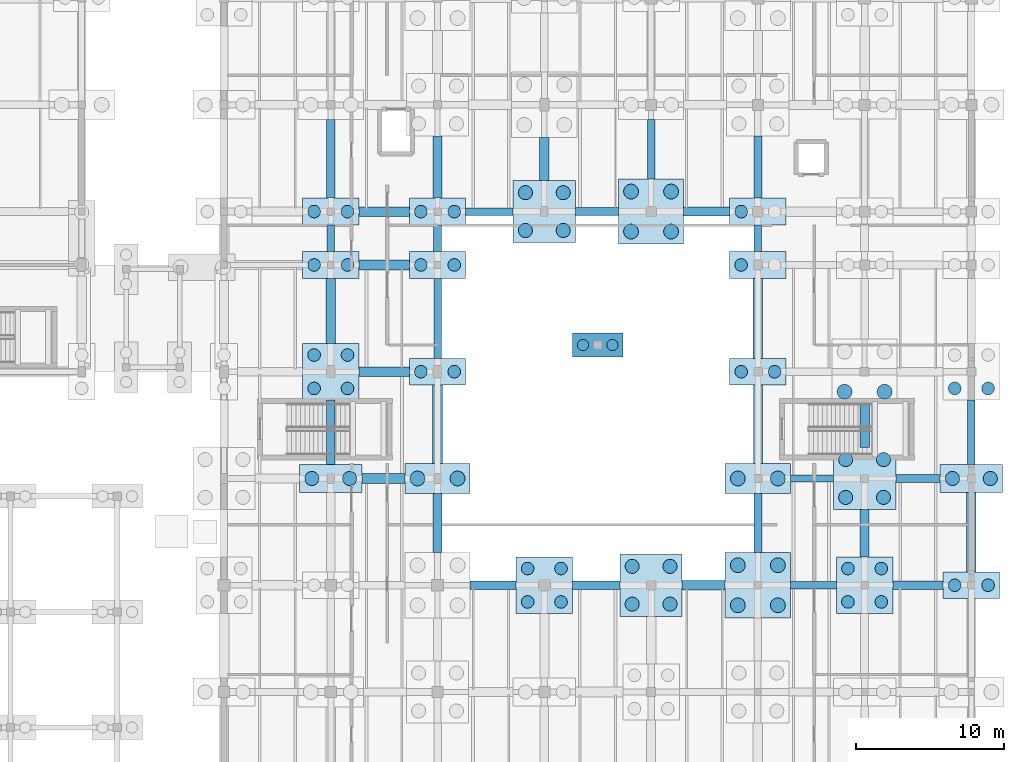
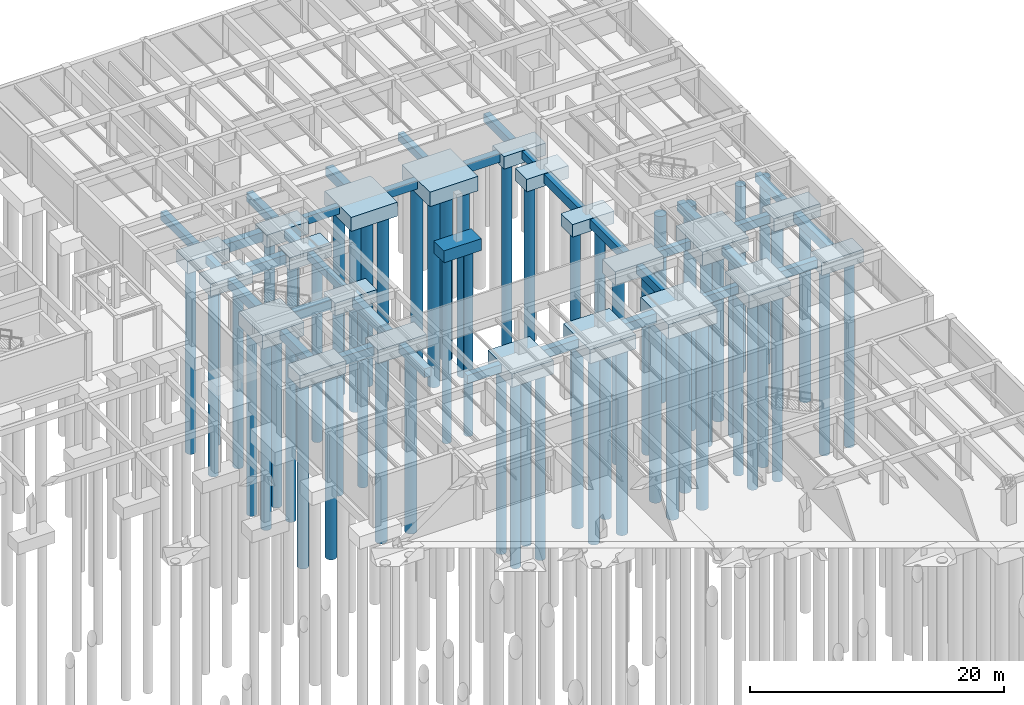
# One storey, part 15 of 63: 62 piles, 56 footings.
"""IFC4 building model written with IfcOpenShell, lengths in metres."""

from ifc_helpers import new_model, si_unit, direction, frame, origin, origin_2d, place, context, subcontext, project, spatial, rectangle, circle, extrude, material, material_profile, profile_set, type_object, element, save


model = new_model("IFC4")

# Units and contexts
model_context = context("Model", 3, precision=1e-05, world=origin(), true_north=direction((0.0, 1.0)))
body_context = subcontext(model_context, "Body", "Model", "MODEL_VIEW")
ifc_project = project(units=[si_unit("LENGTHUNIT", "METRE"), si_unit("AREAUNIT", "SQUARE_METRE"), si_unit("VOLUMEUNIT", "CUBIC_METRE"), si_unit("PLANEANGLEUNIT", "RADIAN"), si_unit("MASSUNIT", "GRAM", prefix="KILO")], contexts=[model_context])

# Site, building, storey
site_placement = place(None, origin())
site = spatial("IfcSite", under=ifc_project, at=site_placement, CompositionType="ELEMENT")
building_placement = place(site_placement, origin())
building = spatial("IfcBuilding", under=site, at=building_placement, Name="Mazaris Harbour Polytechnic", CompositionType="ELEMENT")
storey_placement = place(building_placement, frame((0.0, 0.0, -4.5)))
storey = spatial("IfcBuildingStorey", under=building, at=storey_placement, Name="B1", CompositionType="ELEMENT", Elevation=-4.5)

# Piles
ifc_material_1 = material(Name="Concrete C35/45", Category="concrete")
ifc_material_profile_1 = material_profile(ifc_material_1, circle(Radius=0.5, at=origin_2d()), Name="DIA1000")
ifc_profile_set_1 = profile_set([ifc_material_profile_1], Name="Concrete C35/45")
pile_type_1 = type_object("IfcPileType", Name="Bored Pile 1000", PredefinedType="BORED", material=ifc_profile_set_1)
for number, where, z_axis, x_axis, name in (
    (1, (135.449951171875, 68.39990234375, -1.6201171875), (0.0, 0.0, -1.0), (1.0, 0.0, 0.0), "Bored Pile BP-263-1"),
    (2, (138.14990234375, 68.39990234375, -1.6201171875), (0.0, 0.0, -1.0), (1.0, 0.0, 0.0), "Bored Pile BP-263-2"),
    (3, (149.85009765625, 85.050048828125, -1.719970703125), (0.0, 0.0, -1.0), (1.0, 0.0, 0.0), "Bored Pile BP-280-1"),
    (4, (152.550048828125, 85.050048828125, -1.719970703125), (0.0, 0.0, -1.0), (1.0, 0.0, 0.0), "Bored Pile BP-280-2"),
    (5, (149.85009765625, 87.75, -1.719970703125), (0.0, 0.0, -1.0), (1.0, 0.0, 0.0), "Bored Pile BP-280-3"),
    (6, (152.550048828125, 87.75, -1.719970703125), (0.0, 0.0, -1.0), (1.0, 0.0, 0.0), "Bored Pile BP-280-4"),
    (7, (157.050048828125, 59.85009765625, -1.719970703125), (0.0, 0.0, -1.0), (1.0, 0.0, 0.0), "Bored Pile BP-286-1"),
    (8, (159.75, 59.85009765625, -1.719970703125), (0.0, 0.0, -1.0), (1.0, 0.0, 0.0), "Bored Pile BP-286-2"),
    (9, (157.050048828125, 62.550048828125, -1.719970703125), (0.0, 0.0, -1.0), (1.0, 0.0, 0.0), "Bored Pile BP-286-3"),
    (10, (159.75, 62.550048828125, -1.719970703125), (0.0, 0.0, -1.0), (1.0, 0.0, 0.0), "Bored Pile BP-286-4"),
    (11, (157.050048828125, 68.39990234375, -1.6201171875), (0.0, 0.0, -1.0), (1.0, 0.0, 0.0), "Bored Pile BP-287-1"),
    (12, (159.75, 68.39990234375, -1.6201171875), (0.0, 0.0, -1.0), (1.0, 0.0, 0.0), "Bored Pile BP-287-2"),
    (13, (164.25, 74.25, -1.719970703125), (0.0, 0.0, -1.0), (1.0, 0.0, 0.0), "Bored Pile BP-298-1"),
    (14, (166.949951171875, 74.25, -1.719970703125), (0.0, 0.0, -1.0), (1.0, 0.0, 0.0), "Bored Pile BP-298-2"),
):
    element("IfcPile", number, at=place(storey_placement, frame(where, z_axis=z_axis, x_axis=x_axis)), inside=storey, type_object=pile_type_1, Name=name, PredefinedType="BORED", context=body_context, shape_type="SweptSolid", body=[
        extrude(circle(Radius=0.5, at=origin_2d()), origin(), (0.0, 0.0, 1.0), 18.0),
    ])
ifc_material_2 = material(Name="Concrete C35/45", Category="concrete")
ifc_material_profile_2 = material_profile(ifc_material_2, circle(Radius=0.375, at=origin_2d()), Name="DIA750")
ifc_profile_set_2 = profile_set([ifc_material_profile_2], Name="Concrete C35/45")
pile_type_2 = type_object("IfcPileType", Name="Bored Pile 750", PredefinedType="BORED", material=ifc_profile_set_2)
for number, where, z_axis, x_axis, name in (
    (15, (146.606201171875, 77.39990234375, -1.429931640625), (0.0, 0.0, -1.0), (1.0, 0.0, 0.0), "Bored Pile BP-373-1"),
    (16, (148.59375, 77.39990234375, -1.429931640625), (0.0, 0.0, -1.0), (1.0, 0.0, 0.0), "Bored Pile BP-373-2"),
):
    element("IfcPile", number, at=place(storey_placement, frame(where, z_axis=z_axis, x_axis=x_axis)), inside=storey, type_object=pile_type_2, Name=name, PredefinedType="BORED", context=body_context, shape_type="SweptSolid", body=[
        extrude(circle(Radius=0.375, at=origin_2d()), origin(), (0.0, 0.0, 1.0), 18.0),
    ])
ifc_material_3 = material(Name="Concrete C35/45", Category="concrete")
ifc_material_profile_3 = material_profile(ifc_material_3, circle(Radius=0.425048828125, at=origin_2d()), Name="DIA850")
ifc_profile_set_3 = profile_set([ifc_material_profile_3], Name="Concrete C35/45")
pile_type_3 = type_object("IfcPileType", Name="Bored Pile 850", PredefinedType="BORED", material=ifc_profile_set_3)
for number, where, z_axis, x_axis, name in (
    (17, (128.473876953125, 74.473876953125, -1.6201171875), (0.0, 0.0, -1.0), (1.0, 0.0, 0.0), "Bored Pile BP-254-1"),
    (18, (130.726318359375, 74.473876953125, -1.6201171875), (0.0, 0.0, -1.0), (1.0, 0.0, 0.0), "Bored Pile BP-254-2"),
    (19, (128.473876953125, 76.726318359375, -1.6201171875), (0.0, 0.0, -1.0), (1.0, 0.0, 0.0), "Bored Pile BP-254-3"),
    (20, (130.726318359375, 76.726318359375, -1.6201171875), (0.0, 0.0, -1.0), (1.0, 0.0, 0.0), "Bored Pile BP-254-4"),
    (21, (128.473876953125, 82.800048828125, -1.52001953125), (0.0, 0.0, -1.0), (1.0, 0.0, 0.0), "Bored Pile BP-255-1"),
    (22, (130.726318359375, 82.800048828125, -1.52001953125), (0.0, 0.0, -1.0), (1.0, 0.0, 0.0), "Bored Pile BP-255-2"),
    (23, (128.473876953125, 86.39990234375, -1.52001953125), (0.0, 0.0, -1.0), (1.0, 0.0, 0.0), "Bored Pile BP-256-1"),
    (24, (130.726318359375, 86.39990234375, -1.52001953125), (0.0, 0.0, -1.0), (1.0, 0.0, 0.0), "Bored Pile BP-256-2"),
    (25, (135.673828125, 75.60009765625, -1.52001953125), (0.0, 0.0, -1.0), (1.0, 0.0, 0.0), "Bored Pile BP-264-1"),
    (26, (137.92626953125, 75.60009765625, -1.52001953125), (0.0, 0.0, -1.0), (1.0, 0.0, 0.0), "Bored Pile BP-264-2"),
    (27, (135.673828125, 82.800048828125, -1.52001953125), (0.0, 0.0, -1.0), (1.0, 0.0, 0.0), "Bored Pile BP-265-1"),
    (28, (137.92626953125, 82.800048828125, -1.52001953125), (0.0, 0.0, -1.0), (1.0, 0.0, 0.0), "Bored Pile BP-265-2"),
    (29, (135.673828125, 86.39990234375, -1.52001953125), (0.0, 0.0, -1.0), (1.0, 0.0, 0.0), "Bored Pile BP-266-1"),
    (30, (137.92626953125, 86.39990234375, -1.52001953125), (0.0, 0.0, -1.0), (1.0, 0.0, 0.0), "Bored Pile BP-266-2"),
    (31, (142.873779296875, 60.07373046875, -1.6201171875), (0.0, 0.0, -1.0), (1.0, 0.0, 0.0), "Bored Pile BP-272-1"),
    (32, (145.126220703125, 60.07373046875, -1.6201171875), (0.0, 0.0, -1.0), (1.0, 0.0, 0.0), "Bored Pile BP-272-2"),
    (33, (142.873779296875, 62.326171875, -1.6201171875), (0.0, 0.0, -1.0), (1.0, 0.0, 0.0), "Bored Pile BP-272-3"),
    (34, (145.126220703125, 62.326171875, -1.6201171875), (0.0, 0.0, -1.0), (1.0, 0.0, 0.0), "Bored Pile BP-272-4"),
    (35, (157.273681640625, 75.60009765625, -1.52001953125), (0.0, 0.0, -1.0), (1.0, 0.0, 0.0), "Bored Pile BP-288-1"),
    (36, (159.526123046875, 75.60009765625, -1.52001953125), (0.0, 0.0, -1.0), (1.0, 0.0, 0.0), "Bored Pile BP-288-2"),
    (37, (157.273681640625, 82.800048828125, -1.52001953125), (0.0, 0.0, -1.0), (1.0, 0.0, 0.0), "Bored Pile BP-289-1"),
    (38, (157.273681640625, 86.39990234375, -1.52001953125), (0.0, 0.0, -1.0), (1.0, 0.0, 0.0), "Bored Pile BP-290-1"),
    (39, (164.473876953125, 60.07373046875, -1.6201171875), (0.0, 0.0, -1.0), (1.0, 0.0, 0.0), "Bored Pile BP-296-1"),
    (40, (166.726318359375, 60.07373046875, -1.6201171875), (0.0, 0.0, -1.0), (1.0, 0.0, 0.0), "Bored Pile BP-296-2"),
    (41, (164.473876953125, 62.326171875, -1.6201171875), (0.0, 0.0, -1.0), (1.0, 0.0, 0.0), "Bored Pile BP-296-3"),
    (42, (166.726318359375, 62.326171875, -1.6201171875), (0.0, 0.0, -1.0), (1.0, 0.0, 0.0), "Bored Pile BP-296-4"),
    (43, (171.673828125, 61.199951171875, -1.52001953125), (0.0, 0.0, -1.0), (1.0, 0.0, 0.0), "Bored Pile BP-306-1"),
    (44, (173.92626953125, 61.199951171875, -1.52001953125), (0.0, 0.0, -1.0), (1.0, 0.0, 0.0), "Bored Pile BP-306-2"),
    (45, (171.673828125, 74.473876953125, -1.6201171875), (0.0, 0.0, -1.0), (1.0, 0.0, 0.0), "Bored Pile BP-308-1"),
    (46, (173.92626953125, 74.473876953125, -1.6201171875), (0.0, 0.0, -1.0), (1.0, 0.0, 0.0), "Bored Pile BP-308-2"),
):
    element("IfcPile", number, at=place(storey_placement, frame(where, z_axis=z_axis, x_axis=x_axis)), inside=storey, type_object=pile_type_3, Name=name, PredefinedType="BORED", context=body_context, shape_type="SweptSolid", body=[
        extrude(circle(Radius=0.425048828125, at=origin_2d()), origin(), (0.0, 0.0, 1.0), 18.0),
    ])
ifc_material_4 = material(Name="Concrete C35/45", Category="concrete")
ifc_material_profile_4 = material_profile(ifc_material_4, circle(Radius=0.47509765625, at=origin_2d()), Name="DIA950")
ifc_profile_set_4 = profile_set([ifc_material_profile_4], Name="Concrete C35/45")
pile_type_4 = type_object("IfcPileType", Name="Bored Pile 950", PredefinedType="BORED", material=ifc_profile_set_4)
for number, where, z_axis, x_axis, name in (
    (47, (128.324951171875, 68.39990234375, -1.570068359375), (0.0, 0.0, -1.0), (1.0, 0.0, 0.0), "Bored Pile BP-253-1"),
    (48, (130.875, 68.39990234375, -1.570068359375), (0.0, 0.0, -1.0), (1.0, 0.0, 0.0), "Bored Pile BP-253-2"),
    (49, (142.72509765625, 85.125, -1.669921875), (0.0, 0.0, -1.0), (1.0, 0.0, 0.0), "Bored Pile BP-273-1"),
    (50, (145.27490234375, 85.125, -1.669921875), (0.0, 0.0, -1.0), (1.0, 0.0, 0.0), "Bored Pile BP-273-2"),
    (51, (142.72509765625, 87.675048828125, -1.669921875), (0.0, 0.0, -1.0), (1.0, 0.0, 0.0), "Bored Pile BP-273-3"),
    (52, (145.27490234375, 87.675048828125, -1.669921875), (0.0, 0.0, -1.0), (1.0, 0.0, 0.0), "Bored Pile BP-273-4"),
    (53, (149.925048828125, 59.925048828125, -1.669921875), (0.0, 0.0, -1.0), (1.0, 0.0, 0.0), "Bored Pile BP-279-1"),
    (54, (152.47509765625, 59.925048828125, -1.669921875), (0.0, 0.0, -1.0), (1.0, 0.0, 0.0), "Bored Pile BP-279-2"),
    (55, (149.925048828125, 62.47509765625, -1.669921875), (0.0, 0.0, -1.0), (1.0, 0.0, 0.0), "Bored Pile BP-279-3"),
    (56, (152.47509765625, 62.47509765625, -1.669921875), (0.0, 0.0, -1.0), (1.0, 0.0, 0.0), "Bored Pile BP-279-4"),
    (57, (164.324951171875, 67.125, -1.669921875), (0.0, 0.0, -1.0), (1.0, 0.0, 0.0), "Bored Pile BP-297-1"),
    (58, (166.875, 67.125, -1.669921875), (0.0, 0.0, -1.0), (1.0, 0.0, 0.0), "Bored Pile BP-297-2"),
    (59, (164.324951171875, 69.675048828125, -1.669921875), (0.0, 0.0, -1.0), (1.0, 0.0, 0.0), "Bored Pile BP-297-3"),
    (60, (166.875, 69.675048828125, -1.669921875), (0.0, 0.0, -1.0), (1.0, 0.0, 0.0), "Bored Pile BP-297-4"),
    (61, (171.52490234375, 68.39990234375, -1.570068359375), (0.0, 0.0, -1.0), (1.0, 0.0, 0.0), "Bored Pile BP-307-1"),
    (62, (174.074951171875, 68.39990234375, -1.570068359375), (0.0, 0.0, -1.0), (1.0, 0.0, 0.0), "Bored Pile BP-307-2"),
):
    element("IfcPile", number, at=place(storey_placement, frame(where, z_axis=z_axis, x_axis=x_axis)), inside=storey, type_object=pile_type_4, Name=name, PredefinedType="BORED", context=body_context, shape_type="SweptSolid", body=[
        extrude(circle(Radius=0.47509765625, at=origin_2d()), origin(), (0.0, 0.0, 1.0), 18.0),
    ])

# Footings
ifc_material_5 = material(Name="Concrete C35/45", Category="concrete")
footing_type_1 = type_object("IfcFootingType", Name="Pile Cap 3400x1600x1150", PredefinedType="PILE_CAP", material=ifc_material_5)
footing_1_placement = place(storey_placement, frame((147.60009765625, 77.39990234375, -1.530029296875), z_axis=(0.0, 0.0, 1.0), x_axis=(1.0, 0.0, 0.0)))
element("IfcFooting", 63, at=footing_1_placement, inside=storey, type_object=footing_type_1, Name="Pile Cap CAP-373", PredefinedType="PILE_CAP", context=body_context, shape_type="SweptSolid", body=[
    extrude(rectangle(XDim=3.39990234375, YDim=1.60009765625, at=origin_2d()), origin(), (0.0, 0.0, 1.0), 1.14990234375),
])
ifc_material_6 = material(Name="Concrete C35/45", Category="concrete")
footing_type_2 = type_object("IfcFootingType", Name="Pile Cap 3800x1800x1200", PredefinedType="PILE_CAP", material=ifc_material_6)
for number, where, z_axis, x_axis, name in (
    (64, (129.60009765625, 82.800048828125, -1.6201171875), (0.0, 0.0, 1.0), (1.0, 0.0, 0.0), "Pile Cap CAP-255"),
    (65, (129.60009765625, 86.39990234375, -1.6201171875), (0.0, 0.0, 1.0), (1.0, 0.0, 0.0), "Pile Cap CAP-256"),
    (66, (136.800048828125, 75.60009765625, -1.6201171875), (0.0, 0.0, 1.0), (1.0, 0.0, 0.0), "Pile Cap CAP-264"),
    (67, (136.800048828125, 82.800048828125, -1.6201171875), (0.0, 0.0, 1.0), (1.0, 0.0, 0.0), "Pile Cap CAP-265"),
    (68, (136.800048828125, 86.39990234375, -1.6201171875), (0.0, 0.0, 1.0), (1.0, 0.0, 0.0), "Pile Cap CAP-266"),
    (69, (158.39990234375, 75.60009765625, -1.6201171875), (0.0, 0.0, 1.0), (1.0, 0.0, 0.0), "Pile Cap CAP-288"),
    (70, (158.39990234375, 82.800048828125, -1.6201171875), (0.0, 0.0, 1.0), (1.0, 0.0, 0.0), "Pile Cap CAP-289"),
    (71, (158.39990234375, 86.39990234375, -1.6201171875), (0.0, 0.0, 1.0), (1.0, 0.0, 0.0), "Pile Cap CAP-290"),
    (72, (172.800048828125, 61.199951171875, -1.6201171875), (0.0, 0.0, 1.0), (1.0, 0.0, 0.0), "Pile Cap CAP-306"),
):
    element("IfcFooting", number, at=place(storey_placement, frame(where, z_axis=z_axis, x_axis=x_axis)), inside=storey, type_object=footing_type_2, Name=name, PredefinedType="PILE_CAP", context=body_context, shape_type="SweptSolid", body=[
        extrude(rectangle(XDim=3.800048828125, YDim=1.800048828125, at=origin_2d()), origin(), (0.0, 0.0, 1.0), 1.199951171875),
    ])
ifc_material_7 = material(Name="Concrete C35/45", Category="concrete")
footing_type_3 = type_object("IfcFootingType", Name="Pile Cap 3800x3800x1300", PredefinedType="PILE_CAP", material=ifc_material_7)
for number, where, z_axis, x_axis, name in (
    (73, (129.60009765625, 75.60009765625, -1.72021484375), (0.0, 0.0, 1.0), (1.0, 0.0, 0.0), "Pile Cap CAP-254"),
    (74, (144.0, 61.199951171875, -1.72021484375), (0.0, 0.0, 1.0), (1.0, 0.0, 0.0), "Pile Cap CAP-272"),
    (75, (165.60009765625, 61.199951171875, -1.72021484375), (0.0, 0.0, 1.0), (1.0, 0.0, 0.0), "Pile Cap CAP-296"),
):
    element("IfcFooting", number, at=place(storey_placement, frame(where, z_axis=z_axis, x_axis=x_axis)), inside=storey, type_object=footing_type_3, Name=name, PredefinedType="PILE_CAP", context=body_context, shape_type="SweptSolid", body=[
        extrude(rectangle(XDim=3.800048828125, YDim=3.800048828125, at=origin_2d()), origin(), (0.0, 0.0, 1.0), 1.300048828125),
    ])
ifc_material_8 = material(Name="Concrete C35/45", Category="concrete")
footing_type_4 = type_object("IfcFootingType", Name="Pile Cap 4200x1900x1250", PredefinedType="PILE_CAP", material=ifc_material_8)
for number, where, z_axis, x_axis, name in (
    (76, (129.60009765625, 68.39990234375, -1.669921875), (0.0, 0.0, 1.0), (1.0, 0.0, 0.0), "Pile Cap CAP-253"),
    (77, (172.800048828125, 68.39990234375, -1.669921875), (0.0, 0.0, 1.0), (1.0, 0.0, 0.0), "Pile Cap CAP-307"),
):
    element("IfcFooting", number, at=place(storey_placement, frame(where, z_axis=z_axis, x_axis=x_axis)), inside=storey, type_object=footing_type_4, Name=name, PredefinedType="PILE_CAP", context=body_context, shape_type="SweptSolid", body=[
        extrude(rectangle(XDim=4.199951171875, YDim=1.89990234375, at=origin_2d()), origin(), (0.0, 0.0, 1.0), 1.25),
    ])
ifc_material_9 = material(Name="Concrete C35/45", Category="concrete")
footing_type_5 = type_object("IfcFootingType", Name="Pile Cap 4200x4200x1350", PredefinedType="PILE_CAP", material=ifc_material_9)
for number, where, z_axis, x_axis, name in (
    (78, (144.0, 86.39990234375, -1.77001953125), (0.0, 0.0, 1.0), (1.0, 0.0, 0.0), "Pile Cap CAP-273"),
    (79, (151.199951171875, 61.199951171875, -1.77001953125), (0.0, 0.0, 1.0), (1.0, 0.0, 0.0), "Pile Cap CAP-279"),
    (80, (165.60009765625, 68.39990234375, -1.77001953125), (0.0, 0.0, 1.0), (1.0, 0.0, 0.0), "Pile Cap CAP-297"),
):
    element("IfcFooting", number, at=place(storey_placement, frame(where, z_axis=z_axis, x_axis=x_axis)), inside=storey, type_object=footing_type_5, Name=name, PredefinedType="PILE_CAP", context=body_context, shape_type="SweptSolid", body=[
        extrude(rectangle(XDim=4.199951171875, YDim=4.199951171875, at=origin_2d()), origin(), (0.0, 0.0, 1.0), 1.35009765625),
    ])
ifc_material_10 = material(Name="Concrete C35/45", Category="concrete")
footing_type_6 = type_object("IfcFootingType", Name="Pile Cap 4400x2000x1300", PredefinedType="PILE_CAP", material=ifc_material_10)
for number, where, z_axis, x_axis, name in (
    (81, (136.800048828125, 68.39990234375, -1.72021484375), (0.0, 0.0, 1.0), (1.0, 0.0, 0.0), "Pile Cap CAP-263"),
    (82, (158.39990234375, 68.39990234375, -1.72021484375), (0.0, 0.0, 1.0), (1.0, 0.0, 0.0), "Pile Cap CAP-287"),
):
    element("IfcFooting", number, at=place(storey_placement, frame(where, z_axis=z_axis, x_axis=x_axis)), inside=storey, type_object=footing_type_6, Name=name, PredefinedType="PILE_CAP", context=body_context, shape_type="SweptSolid", body=[
        extrude(rectangle(XDim=4.39990234375, YDim=2.0, at=origin_2d()), origin(), (0.0, 0.0, 1.0), 1.300048828125),
    ])
ifc_material_11 = material(Name="Concrete C35/45", Category="concrete")
footing_type_7 = type_object("IfcFootingType", Name="Pile Cap 4400x4400x1400", PredefinedType="PILE_CAP", material=ifc_material_11)
for number, where, z_axis, x_axis, name in (
    (83, (151.199951171875, 86.39990234375, -1.820068359375), (0.0, 0.0, 1.0), (1.0, 0.0, 0.0), "Pile Cap CAP-280"),
    (84, (158.39990234375, 61.199951171875, -1.820068359375), (0.0, 0.0, 1.0), (1.0, 0.0, 0.0), "Pile Cap CAP-286"),
):
    element("IfcFooting", number, at=place(storey_placement, frame(where, z_axis=z_axis, x_axis=x_axis)), inside=storey, type_object=footing_type_7, Name=name, PredefinedType="PILE_CAP", context=body_context, shape_type="SweptSolid", body=[
        extrude(rectangle(XDim=4.39990234375, YDim=4.39990234375, at=origin_2d()), origin(), (0.0, 0.0, 1.0), 1.39990234375),
    ])
ifc_material_12 = material(Name="Concrete C35/45", Category="concrete")
ifc_material_profile_5 = material_profile(ifc_material_12, rectangle(XDim=0.5, YDim=0.75, at=origin_2d()), Name="RECT500x750")
ifc_profile_set_5 = profile_set([ifc_material_profile_5], Name="Concrete C35/45")
footing_type_8 = type_object("IfcFootingType", Name="Seismic Tie Beam 500x750", PredefinedType="FOOTING_BEAM", material=ifc_profile_set_5)
footing_2_placement = place(storey_placement, frame((160.60009765625, 61.199951171875, -0.8349609375), z_axis=(1.0, 0.0, 0.0), x_axis=(0.0, 1.0, 0.0)))
element("IfcFooting", 85, at=footing_2_placement, inside=storey, type_object=footing_type_8, Name="Seismic Tie Beam FTB-424", PredefinedType="FOOTING_BEAM", context=body_context, shape_type="SweptSolid", body=[
    extrude(rectangle(XDim=0.5, YDim=0.75, at=origin_2d()), origin(), (0.0, 0.0, 1.0), 3.099853515625),
])
footing_3_placement = place(storey_placement, frame((160.60009765625, 68.39990234375, -0.8349609375), z_axis=(1.0, 0.0, 0.0), x_axis=(0.0, 1.0, 0.0)))
element("IfcFooting", 86, at=footing_3_placement, inside=storey, type_object=footing_type_8, Name="Seismic Tie Beam FTB-428", PredefinedType="FOOTING_BEAM", context=body_context, shape_type="SweptSolid", body=[
    extrude(rectangle(XDim=0.5, YDim=0.75, at=origin_2d()), origin(), (0.0, 0.0, 1.0), 2.89990234375),
])
footing_4_placement = place(storey_placement, frame((138.699951171875, 86.39990234375, -0.8349609375), z_axis=(1.0, 0.0, 0.0), x_axis=(0.0, 1.0, 0.0)))
element("IfcFooting", 87, at=footing_4_placement, inside=storey, type_object=footing_type_8, Name="Seismic Tie Beam FTB-440", PredefinedType="FOOTING_BEAM", context=body_context, shape_type="SweptSolid", body=[
    extrude(rectangle(XDim=0.5, YDim=0.75, at=origin_2d()), origin(), (0.0, 0.0, 1.0), 3.199951171875),
])
footing_5_placement = place(storey_placement, frame((129.60009765625, 83.699951171875, -0.8349609375), z_axis=(0.0, 1.0, 0.0), x_axis=(-1.0, 0.0, 0.0)))
element("IfcFooting", 88, at=footing_5_placement, inside=storey, type_object=footing_type_8, Name="Seismic Tie Beam FTB-480", PredefinedType="FOOTING_BEAM", context=body_context, shape_type="SweptSolid", body=[
    extrude(rectangle(XDim=0.5, YDim=0.75, at=origin_2d()), origin(), (0.0, 0.0, 1.0), 1.800048828125),
])
footing_6_placement = place(storey_placement, frame((136.800048828125, 76.5, -0.8349609375), z_axis=(0.0, 1.0, 0.0), x_axis=(-1.0, 0.0, 0.0)))
element("IfcFooting", 89, at=footing_6_placement, inside=storey, type_object=footing_type_8, Name="Seismic Tie Beam FTB-488", PredefinedType="FOOTING_BEAM", context=body_context, shape_type="SweptSolid", body=[
    extrude(rectangle(XDim=0.5, YDim=0.75, at=origin_2d()), origin(), (0.0, 0.0, 1.0), 5.39990234375),
])
footing_7_placement = place(storey_placement, frame((151.199951171875, 88.60009765625, -0.8349609375), z_axis=(0.0, 1.0, 0.0), x_axis=(-1.0, 0.0, 0.0)))
element("IfcFooting", 90, at=footing_7_placement, inside=storey, type_object=footing_type_8, Name="Seismic Tie Beam FTB-500", PredefinedType="FOOTING_BEAM", context=body_context, shape_type="SweptSolid", body=[
    extrude(rectangle(XDim=0.5, YDim=0.75, at=origin_2d()), origin(), (0.0, 0.0, 1.0), 4.0),
])
footing_8_placement = place(storey_placement, frame((158.39990234375, 83.699951171875, -0.8349609375), z_axis=(0.0, 1.0, 0.0), x_axis=(-1.0, 0.0, 0.0)))
element("IfcFooting", 91, at=footing_8_placement, inside=storey, type_object=footing_type_8, Name="Seismic Tie Beam FTB-508", PredefinedType="FOOTING_BEAM", context=body_context, shape_type="SweptSolid", body=[
    extrude(rectangle(XDim=0.5, YDim=0.75, at=origin_2d()), origin(), (0.0, 0.0, 1.0), 1.800048828125),
])
footing_9_placement = place(storey_placement, frame((172.800048828125, 69.35009765625, -0.8349609375), z_axis=(0.0, 1.0, 0.0), x_axis=(-1.0, 0.0, 0.0)))
element("IfcFooting", 92, at=footing_9_placement, inside=storey, type_object=footing_type_8, Name="Seismic Tie Beam FTB-524", PredefinedType="FOOTING_BEAM", context=body_context, shape_type="SweptSolid", body=[
    extrude(rectangle(XDim=0.5, YDim=0.75, at=origin_2d()), origin(), (0.0, 0.0, 1.0), 4.349853515625),
])
ifc_material_13 = material(Name="Concrete C35/45", Category="concrete")
ifc_material_profile_6 = material_profile(ifc_material_13, rectangle(XDim=0.550048828125, YDim=0.800048828125, at=origin_2d()), Name="RECT550x800")
ifc_profile_set_6 = profile_set([ifc_material_profile_6], Name="Concrete C35/45")
footing_type_9 = type_object("IfcFootingType", Name="Seismic Tie Beam 550x800", PredefinedType="FOOTING_BEAM", material=ifc_profile_set_6)
footing_10_placement = place(storey_placement, frame((139.0, 61.199951171875, -0.860107421875), z_axis=(1.0, 0.0, 0.0), x_axis=(0.0, 1.0, 0.0)))
element("IfcFooting", 93, at=footing_10_placement, inside=storey, type_object=footing_type_9, Name="Seismic Tie Beam FTB-421", PredefinedType="FOOTING_BEAM", context=body_context, shape_type="SweptSolid", body=[
    extrude(rectangle(XDim=0.550048828125, YDim=0.800048828125, at=origin_2d()), origin(), (0.0, 0.0, 1.0), 3.10009765625),
])
footing_11_placement = place(storey_placement, frame((167.5, 61.199951171875, -0.860107421875), z_axis=(1.0, 0.0, 0.0), x_axis=(0.0, 1.0, 0.0)))
element("IfcFooting", 94, at=footing_11_placement, inside=storey, type_object=footing_type_9, Name="Seismic Tie Beam FTB-425", PredefinedType="FOOTING_BEAM", context=body_context, shape_type="SweptSolid", body=[
    extrude(rectangle(XDim=0.550048828125, YDim=0.800048828125, at=origin_2d()), origin(), (0.0, 0.0, 1.0), 3.39990234375),
])
footing_12_placement = place(storey_placement, frame((167.699951171875, 68.39990234375, -0.860107421875), z_axis=(1.0, 0.0, 0.0), x_axis=(0.0, 1.0, 0.0)))
element("IfcFooting", 95, at=footing_12_placement, inside=storey, type_object=footing_type_9, Name="Seismic Tie Beam FTB-429", PredefinedType="FOOTING_BEAM", context=body_context, shape_type="SweptSolid", body=[
    extrude(rectangle(XDim=0.550048828125, YDim=0.800048828125, at=origin_2d()), origin(), (0.0, 0.0, 1.0), 3.0),
])
footing_13_placement = place(storey_placement, frame((146.10009765625, 86.39990234375, -0.860107421875), z_axis=(1.0, 0.0, 0.0), x_axis=(0.0, 1.0, 0.0)))
element("IfcFooting", 96, at=footing_13_placement, inside=storey, type_object=footing_type_9, Name="Seismic Tie Beam FTB-441", PredefinedType="FOOTING_BEAM", context=body_context, shape_type="SweptSolid", body=[
    extrude(rectangle(XDim=0.550048828125, YDim=0.800048828125, at=origin_2d()), origin(), (0.0, 0.0, 1.0), 2.89990234375),
])
footing_14_placement = place(storey_placement, frame((129.60009765625, 87.300048828125, -0.860107421875), z_axis=(0.0, 1.0, 0.0), x_axis=(-1.0, 0.0, 0.0)))
element("IfcFooting", 97, at=footing_14_placement, inside=storey, type_object=footing_type_9, Name="Seismic Tie Beam FTB-481", PredefinedType="FOOTING_BEAM", context=body_context, shape_type="SweptSolid", body=[
    extrude(rectangle(XDim=0.550048828125, YDim=0.800048828125, at=origin_2d()), origin(), (0.0, 0.0, 1.0), 5.300048828125),
])
footing_15_placement = place(storey_placement, frame((136.800048828125, 83.699951171875, -0.860107421875), z_axis=(0.0, 1.0, 0.0), x_axis=(-1.0, 0.0, 0.0)))
element("IfcFooting", 98, at=footing_15_placement, inside=storey, type_object=footing_type_9, Name="Seismic Tie Beam FTB-489", PredefinedType="FOOTING_BEAM", context=body_context, shape_type="SweptSolid", body=[
    extrude(rectangle(XDim=0.550048828125, YDim=0.800048828125, at=origin_2d()), origin(), (0.0, 0.0, 1.0), 1.800048828125),
])
footing_16_placement = place(storey_placement, frame((158.39990234375, 63.39990234375, -0.860107421875), z_axis=(0.0, 1.0, 0.0), x_axis=(-1.0, 0.0, 0.0)))
element("IfcFooting", 99, at=footing_16_placement, inside=storey, type_object=footing_type_9, Name="Seismic Tie Beam FTB-505", PredefinedType="FOOTING_BEAM", context=body_context, shape_type="SweptSolid", body=[
    extrude(rectangle(XDim=0.550048828125, YDim=0.800048828125, at=origin_2d()), origin(), (0.0, 0.0, 1.0), 4.0),
])
footing_17_placement = place(storey_placement, frame((158.39990234375, 87.300048828125, -0.860107421875), z_axis=(0.0, 1.0, 0.0), x_axis=(-1.0, 0.0, 0.0)))
element("IfcFooting", 100, at=footing_17_placement, inside=storey, type_object=footing_type_9, Name="Seismic Tie Beam FTB-509", PredefinedType="FOOTING_BEAM", context=body_context, shape_type="SweptSolid", body=[
    extrude(rectangle(XDim=0.550048828125, YDim=0.800048828125, at=origin_2d()), origin(), (0.0, 0.0, 1.0), 4.199951171875),
])
ifc_material_14 = material(Name="Concrete C35/45", Category="concrete")
ifc_material_profile_7 = material_profile(ifc_material_14, rectangle(XDim=0.60009765625, YDim=0.85009765625, at=origin_2d()), Name="RECT600x850")
ifc_profile_set_7 = profile_set([ifc_material_profile_7], Name="Concrete C35/45")
footing_type_10 = type_object("IfcFootingType", Name="Seismic Tie Beam 600x850", PredefinedType="FOOTING_BEAM", material=ifc_profile_set_7)
footing_18_placement = place(storey_placement, frame((145.89990234375, 61.199951171875, -0.885009765625), z_axis=(1.0, 0.0, 0.0), x_axis=(0.0, 1.0, 0.0)))
element("IfcFooting", 101, at=footing_18_placement, inside=storey, type_object=footing_type_10, Name="Seismic Tie Beam FTB-422", PredefinedType="FOOTING_BEAM", context=body_context, shape_type="SweptSolid", body=[
    extrude(rectangle(XDim=0.60009765625, YDim=0.85009765625, at=origin_2d()), origin(), (0.0, 0.0, 1.0), 3.2001953125),
])
footing_19_placement = place(storey_placement, frame((153.39990234375, 86.39990234375, -0.885009765625), z_axis=(1.0, 0.0, 0.0), x_axis=(0.0, 1.0, 0.0)))
element("IfcFooting", 102, at=footing_19_placement, inside=storey, type_object=footing_type_10, Name="Seismic Tie Beam FTB-442", PredefinedType="FOOTING_BEAM", context=body_context, shape_type="SweptSolid", body=[
    extrude(rectangle(XDim=0.60009765625, YDim=0.85009765625, at=origin_2d()), origin(), (0.0, 0.0, 1.0), 3.10009765625),
])
footing_20_placement = place(storey_placement, frame((129.60009765625, 69.35009765625, -0.885009765625), z_axis=(0.0, 1.0, 0.0), x_axis=(-1.0, 0.0, 0.0)))
element("IfcFooting", 103, at=footing_20_placement, inside=storey, type_object=footing_type_10, Name="Seismic Tie Beam FTB-478", PredefinedType="FOOTING_BEAM", context=body_context, shape_type="SweptSolid", body=[
    extrude(rectangle(XDim=0.60009765625, YDim=0.85009765625, at=origin_2d()), origin(), (0.0, 0.0, 1.0), 4.349853515625),
])
footing_21_placement = place(storey_placement, frame((136.800048828125, 63.39990234375, -0.885009765625), z_axis=(0.0, 1.0, 0.0), x_axis=(-1.0, 0.0, 0.0)))
element("IfcFooting", 104, at=footing_21_placement, inside=storey, type_object=footing_type_10, Name="Seismic Tie Beam FTB-486", PredefinedType="FOOTING_BEAM", context=body_context, shape_type="SweptSolid", body=[
    extrude(rectangle(XDim=0.60009765625, YDim=0.85009765625, at=origin_2d()), origin(), (0.0, 0.0, 1.0), 4.0),
])
footing_22_placement = place(storey_placement, frame((136.800048828125, 87.300048828125, -0.885009765625), z_axis=(0.0, 1.0, 0.0), x_axis=(-1.0, 0.0, 0.0)))
element("IfcFooting", 105, at=footing_22_placement, inside=storey, type_object=footing_type_10, Name="Seismic Tie Beam FTB-490", PredefinedType="FOOTING_BEAM", context=body_context, shape_type="SweptSolid", body=[
    extrude(rectangle(XDim=0.60009765625, YDim=0.85009765625, at=origin_2d()), origin(), (0.0, 0.0, 1.0), 4.199951171875),
])
footing_23_placement = place(storey_placement, frame((158.39990234375, 69.39990234375, -0.885009765625), z_axis=(0.0, 1.0, 0.0), x_axis=(-1.0, 0.0, 0.0)))
element("IfcFooting", 106, at=footing_23_placement, inside=storey, type_object=footing_type_10, Name="Seismic Tie Beam FTB-506", PredefinedType="FOOTING_BEAM", context=body_context, shape_type="SweptSolid", body=[
    extrude(rectangle(XDim=0.60009765625, YDim=0.85009765625, at=origin_2d()), origin(), (0.0, 0.0, 1.0), 5.300048828125),
])
footing_24_placement = place(storey_placement, frame((165.60009765625, 63.10009765625, -0.885009765625), z_axis=(0.0, 1.0, 0.0), x_axis=(-1.0, 0.0, 0.0)))
element("IfcFooting", 107, at=footing_24_placement, inside=storey, type_object=footing_type_10, Name="Seismic Tie Beam FTB-514", PredefinedType="FOOTING_BEAM", context=body_context, shape_type="SweptSolid", body=[
    extrude(rectangle(XDim=0.60009765625, YDim=0.85009765625, at=origin_2d()), origin(), (0.0, 0.0, 1.0), 3.199951171875),
])
ifc_material_15 = material(Name="Concrete C35/45", Category="concrete")
ifc_material_profile_8 = material_profile(ifc_material_15, rectangle(XDim=0.64990234375, YDim=0.89990234375, at=origin_2d()), Name="RECT650x900")
ifc_profile_set_8 = profile_set([ifc_material_profile_8], Name="Concrete C35/45")
footing_type_11 = type_object("IfcFootingType", Name="Seismic Tie Beam 650x900", PredefinedType="FOOTING_BEAM", material=ifc_profile_set_8)
footing_25_placement = place(storey_placement, frame((153.300048828125, 61.199951171875, -0.909912109375), z_axis=(1.0, 0.0, 0.0), x_axis=(0.0, 1.0, 0.0)))
element("IfcFooting", 108, at=footing_25_placement, inside=storey, type_object=footing_type_11, Name="Seismic Tie Beam FTB-423", PredefinedType="FOOTING_BEAM", context=body_context, shape_type="SweptSolid", body=[
    extrude(rectangle(XDim=0.64990234375, YDim=0.89990234375, at=origin_2d()), origin(), (0.0, 0.0, 1.0), 2.89990234375),
])
footing_26_placement = place(storey_placement, frame((131.699951171875, 68.39990234375, -0.909912109375), z_axis=(1.0, 0.0, 0.0), x_axis=(0.0, 1.0, 0.0)))
element("IfcFooting", 109, at=footing_26_placement, inside=storey, type_object=footing_type_11, Name="Seismic Tie Beam FTB-427", PredefinedType="FOOTING_BEAM", context=body_context, shape_type="SweptSolid", body=[
    extrude(rectangle(XDim=0.64990234375, YDim=0.89990234375, at=origin_2d()), origin(), (0.0, 0.0, 1.0), 2.900146484375),
])
for number, where, z_axis, x_axis, name in (
    (110, (131.5, 75.60009765625, -0.909912109375), (1.0, 0.0, 0.0), (0.0, 1.0, 0.0), "Seismic Tie Beam FTB-431"),
    (111, (131.5, 82.800048828125, -0.909912109375), (1.0, 0.0, 0.0), (0.0, 1.0, 0.0), "Seismic Tie Beam FTB-435"),
    (112, (131.5, 86.39990234375, -0.909912109375), (1.0, 0.0, 0.0), (0.0, 1.0, 0.0), "Seismic Tie Beam FTB-439"),
):
    element("IfcFooting", number, at=place(storey_placement, frame(where, z_axis=z_axis, x_axis=x_axis)), inside=storey, type_object=footing_type_11, Name=name, PredefinedType="FOOTING_BEAM", context=body_context, shape_type="SweptSolid", body=[
        extrude(rectangle(XDim=0.64990234375, YDim=0.89990234375, at=origin_2d()), origin(), (0.0, 0.0, 1.0), 3.39990234375),
    ])
footing_27_placement = place(storey_placement, frame((129.60009765625, 77.5, -0.909912109375), z_axis=(0.0, 1.0, 0.0), x_axis=(-1.0, 0.0, 0.0)))
element("IfcFooting", 113, at=footing_27_placement, inside=storey, type_object=footing_type_11, Name="Seismic Tie Beam FTB-479", PredefinedType="FOOTING_BEAM", context=body_context, shape_type="SweptSolid", body=[
    extrude(rectangle(XDim=0.64990234375, YDim=0.89990234375, at=origin_2d()), origin(), (0.0, 0.0, 1.0), 4.39990234375),
])
footing_28_placement = place(storey_placement, frame((136.800048828125, 69.39990234375, -0.909912109375), z_axis=(0.0, 1.0, 0.0), x_axis=(-1.0, 0.0, 0.0)))
element("IfcFooting", 114, at=footing_28_placement, inside=storey, type_object=footing_type_11, Name="Seismic Tie Beam FTB-487", PredefinedType="FOOTING_BEAM", context=body_context, shape_type="SweptSolid", body=[
    extrude(rectangle(XDim=0.64990234375, YDim=0.89990234375, at=origin_2d()), origin(), (0.0, 0.0, 1.0), 5.300048828125),
])
footing_29_placement = place(storey_placement, frame((144.0, 88.5, -0.909912109375), z_axis=(0.0, 1.0, 0.0), x_axis=(-1.0, 0.0, 0.0)))
element("IfcFooting", 115, at=footing_29_placement, inside=storey, type_object=footing_type_11, Name="Seismic Tie Beam FTB-495", PredefinedType="FOOTING_BEAM", context=body_context, shape_type="SweptSolid", body=[
    extrude(rectangle(XDim=0.64990234375, YDim=0.89990234375, at=origin_2d()), origin(), (0.0, 0.0, 1.0), 2.89990234375),
])
footing_30_placement = place(storey_placement, frame((158.39990234375, 76.5, -0.909912109375), z_axis=(0.0, 1.0, 0.0), x_axis=(-1.0, 0.0, 0.0)))
element("IfcFooting", 116, at=footing_30_placement, inside=storey, type_object=footing_type_11, Name="Seismic Tie Beam FTB-507", PredefinedType="FOOTING_BEAM", context=body_context, shape_type="SweptSolid", body=[
    extrude(rectangle(XDim=0.64990234375, YDim=0.89990234375, at=origin_2d()), origin(), (0.0, 0.0, 1.0), 5.39990234375),
])
footing_31_placement = place(storey_placement, frame((165.60009765625, 70.5, -0.909912109375), z_axis=(0.0, 1.0, 0.0), x_axis=(-1.0, 0.0, 0.0)))
element("IfcFooting", 117, at=footing_31_placement, inside=storey, type_object=footing_type_11, Name="Seismic Tie Beam FTB-515", PredefinedType="FOOTING_BEAM", context=body_context, shape_type="SweptSolid", body=[
    extrude(rectangle(XDim=0.64990234375, YDim=0.89990234375, at=origin_2d()), origin(), (0.0, 0.0, 1.0), 2.89990234375),
])
footing_32_placement = place(storey_placement, frame((172.800048828125, 62.10009765625, -0.909912109375), z_axis=(0.0, 1.0, 0.0), x_axis=(-1.0, 0.0, 0.0)))
element("IfcFooting", 118, at=footing_32_placement, inside=storey, type_object=footing_type_11, Name="Seismic Tie Beam FTB-523", PredefinedType="FOOTING_BEAM", context=body_context, shape_type="SweptSolid", body=[
    extrude(rectangle(XDim=0.64990234375, YDim=0.89990234375, at=origin_2d()), origin(), (0.0, 0.0, 1.0), 5.349853515625),
])

save(model, "model.ifc")
